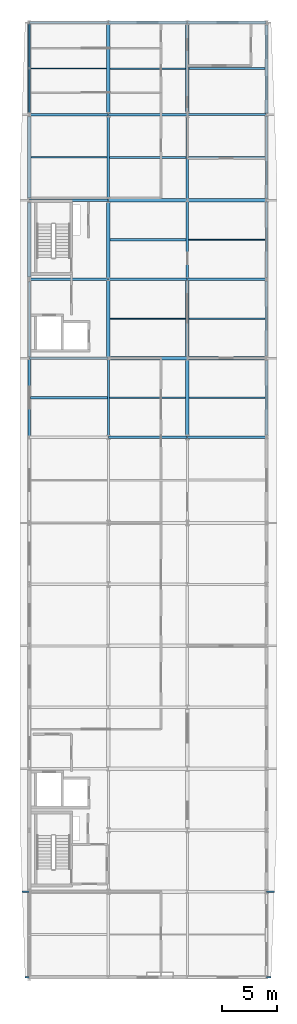
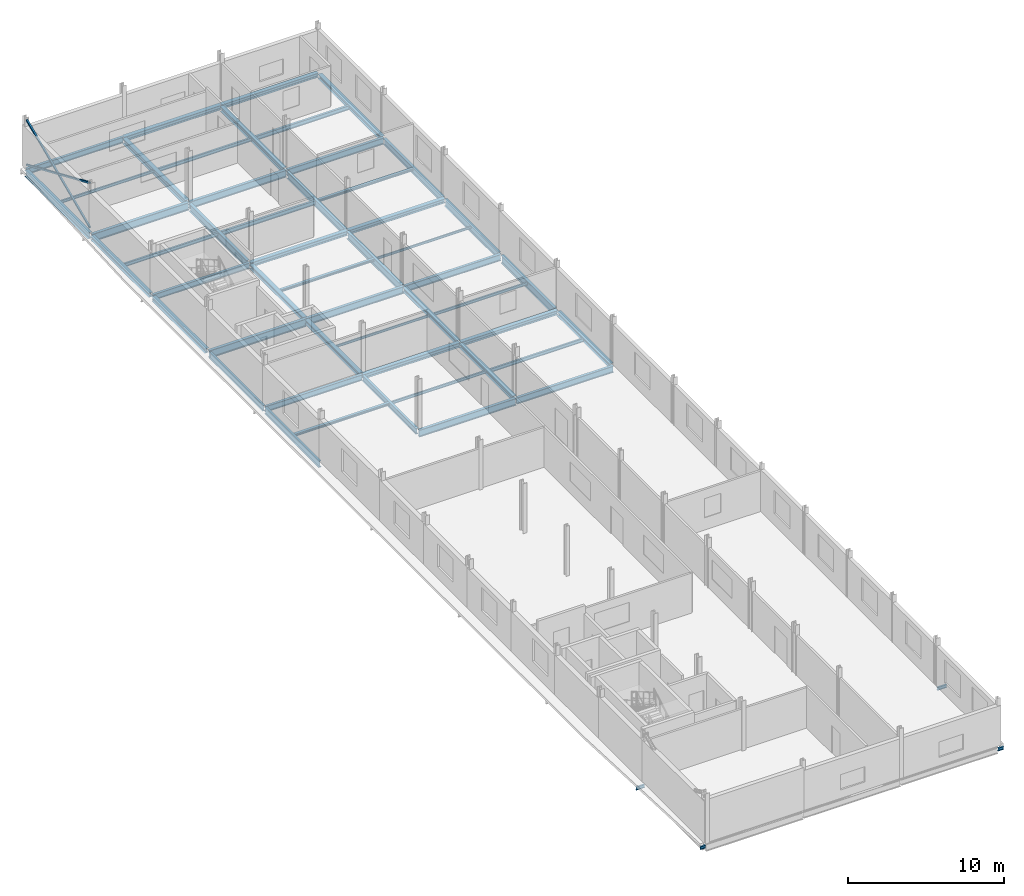
# One storey, part 6 of 16: 54 beams, 3 members.
"""IFC4 building model written with IfcOpenShell, lengths in metres."""

from ifc_helpers import new_model, si_unit, direction, frame, origin, origin_2d, place, context, subcontext, project, spatial, hollow_rectangle, i_section, extrude, material, material_profile, profile_set, type_object, element, save


model = new_model("IFC4")

# Units and contexts
model_context = context("Model", 3, precision=1e-05, world=origin(), true_north=direction((0.0, 1.0)))
body_context = subcontext(model_context, "Body", "Model", "MODEL_VIEW")
ifc_project = project(units=[si_unit("LENGTHUNIT", "METRE"), si_unit("AREAUNIT", "SQUARE_METRE"), si_unit("VOLUMEUNIT", "CUBIC_METRE"), si_unit("PLANEANGLEUNIT", "RADIAN"), si_unit("MASSUNIT", "GRAM", prefix="KILO")], contexts=[model_context])

# Site, building, storey
site_placement = place(None, origin())
site = spatial("IfcSite", under=ifc_project, at=site_placement, CompositionType="ELEMENT")
building_placement = place(site_placement, origin())
building = spatial("IfcBuilding", under=site, at=building_placement, Name="Vinh Khe Railworks Police Headquarters", CompositionType="ELEMENT")
storey_placement = place(building_placement, frame((0.0, 0.0, 28.800048828125)))
storey = spatial("IfcBuildingStorey", under=building, at=storey_placement, Name="L07", CompositionType="ELEMENT", Elevation=28.800048828125)

# Members
ifc_material = material(Name="Steel S355JR", Category="steel")
ifc_material_profile_1 = material_profile(ifc_material, hollow_rectangle(XDim=0.1201171875, YDim=0.1201171875, WallThickness=0.008056640625, at=origin_2d()), Name="SHS 120x120x8")
ifc_profile_set_1 = profile_set([ifc_material_profile_1], Name="Steel S355JR")
member_type = type_object("IfcMemberType", Name="Concentric Brace SHS 120x120x8", PredefinedType="BRACE", material=ifc_profile_set_1)
member_placement = place(storey_placement, frame((0.60009765625, 96.175048828125, 0.199951171875), z_axis=(0.0, 0.917878840109, 0.396860724788), x_axis=(-1.0, 0.0, 0.0)))
element("IfcMember", 1, at=member_placement, inside=storey, type_object=member_type, Name="Continuous Concentric Brace MEM-BR-L07-BR-07-046", PredefinedType="BRACE", context=body_context, shape_type="SweptSolid", body=[
    extrude(hollow_rectangle(XDim=0.1201171875, YDim=0.1201171875, WallThickness=0.008056640625, at=origin_2d()), origin(), (0.0, 0.0, 1.0), 8.8193359375),
])
for number, where, z_axis, x_axis, name in (
    (2, (0.60009765625, 96.175048828125, 3.699951171875), (0.0, 0.917891316515, -0.396831867504), (-1.0, 0.0, 0.0), "Split X-Brace Segment MEM-BR-L07-BR-07-047 (2A)"),
    (3, (0.60009765625, 100.27978515625, 1.925048828125), (0.0, 0.917891316515, -0.396831867504), (-1.0, 0.0, 0.0), "Split X-Brace Segment MEM-BR-L07-BR-07-048 (2B)"),
):
    element("IfcMember", number, at=place(storey_placement, frame(where, z_axis=z_axis, x_axis=x_axis)), inside=storey, type_object=member_type, Name=name, PredefinedType="BRACE", context=body_context, shape_type="SweptSolid", body=[
        extrude(hollow_rectangle(XDim=0.1201171875, YDim=0.1201171875, WallThickness=0.008056640625, at=origin_2d()), origin(), (0.0, 0.0, 1.0), 4.34716796875),
    ])

# Beams
ifc_material_profile_2 = material_profile(ifc_material, i_section(OverallWidth=0.1201171875, OverallDepth=0.239990234375, WebThickness=0.006103515625, FlangeThickness=0.009765625, FilletRadius=0.014892578125, at=origin_2d()), Name="IPE 240")
ifc_profile_set_2 = profile_set([ifc_material_profile_2], Name="Steel S355JR")
beam_type_1 = type_object("IfcBeamType", Name="Monsoon Hood Outrigger IPE 240", PredefinedType="BEAM", material=ifc_profile_set_2)
beam_1_placement = place(storey_placement, frame((0.21142578125, 17.39990234375, -0.360107421875), z_axis=(1.0, 0.0, 0.0), x_axis=(0.0, 1.0, 0.0)))
element("IfcBeam", 4, at=beam_1_placement, inside=storey, type_object=beam_type_1, Name="Monsoon Sun-Hood Outrigger L07-127", PredefinedType="BEAM", context=body_context, shape_type="SweptSolid", body=[
    extrude(i_section(OverallWidth=0.1201171875, OverallDepth=0.239990234375, WebThickness=0.006103515625, FlangeThickness=0.009765625, FilletRadius=0.014892578125, at=origin_2d()), origin(), (0.0, 0.0, 1.0), 0.388671875),
])
beam_2_placement = place(storey_placement, frame((-0.047119140625, 25.199951171875, -0.360107421875), z_axis=(1.0, 0.0, 0.0), x_axis=(0.0, 1.0, 0.0)))
element("IfcBeam", 5, at=beam_2_placement, inside=storey, type_object=beam_type_1, Name="Monsoon Sun-Hood Outrigger L07-128", PredefinedType="BEAM", context=body_context, shape_type="SweptSolid", body=[
    extrude(i_section(OverallWidth=0.1201171875, OverallDepth=0.239990234375, WebThickness=0.006103515625, FlangeThickness=0.009765625, FilletRadius=0.014892578125, at=origin_2d()), origin(), (0.0, 0.0, 1.0), 0.647216796875),
])
beam_3_placement = place(storey_placement, frame((22.199951171875, 17.39990234375, -0.360107421875), z_axis=(1.0, 0.0, 0.0), x_axis=(0.0, 1.0, 0.0)))
element("IfcBeam", 6, at=beam_3_placement, inside=storey, type_object=beam_type_1, Name="Monsoon Sun-Hood Outrigger L07-136", PredefinedType="BEAM", context=body_context, shape_type="SweptSolid", body=[
    extrude(i_section(OverallWidth=0.1201171875, OverallDepth=0.239990234375, WebThickness=0.006103515625, FlangeThickness=0.009765625, FilletRadius=0.014892578125, at=origin_2d()), origin(), (0.0, 0.0, 1.0), 0.423583984375),
])
beam_4_placement = place(storey_placement, frame((22.199951171875, 25.199951171875, -0.360107421875), z_axis=(1.0, 0.0, 0.0), x_axis=(0.0, 1.0, 0.0)))
element("IfcBeam", 7, at=beam_4_placement, inside=storey, type_object=beam_type_1, Name="Monsoon Sun-Hood Outrigger L07-137", PredefinedType="BEAM", context=body_context, shape_type="SweptSolid", body=[
    extrude(i_section(OverallWidth=0.1201171875, OverallDepth=0.239990234375, WebThickness=0.006103515625, FlangeThickness=0.009765625, FilletRadius=0.014892578125, at=origin_2d()), origin(), (0.0, 0.0, 1.0), 0.718505859375),
])
ifc_material_profile_3 = material_profile(ifc_material, i_section(OverallWidth=0.199951171875, OverallDepth=0.18994140625, WebThickness=0.006591796875, FlangeThickness=0.010009765625, FilletRadius=0.01806640625, at=origin_2d()), Name="HEA 200")
ifc_profile_set_3 = profile_set([ifc_material_profile_3], Name="Steel S355JR")
beam_type_2 = type_object("IfcBeamType", Name="Secondary Joist HEA 200", PredefinedType="JOIST", material=ifc_profile_set_3)
beam_5_placement = place(storey_placement, frame((0.699951171875, 70.199951171875, -0.275146484375), z_axis=(1.0, 0.0, 0.0), x_axis=(0.0, 1.0, 0.0)))
element("IfcBeam", 8, at=beam_5_placement, inside=storey, type_object=beam_type_2, Name="Secondary Joist JST-L07-SJ-09-0051", PredefinedType="JOIST", context=body_context, shape_type="SweptSolid", body=[
    extrude(i_section(OverallWidth=0.199951171875, OverallDepth=0.18994140625, WebThickness=0.006591796875, FlangeThickness=0.010009765625, FilletRadius=0.01806640625, at=origin_2d()), origin(), (0.0, 0.0, 1.0), 7.005126953125),
])
beam_6_placement = place(storey_placement, frame((7.949951171875, 84.60009765625, -0.275146484375), z_axis=(1.0, 0.0, 0.0), x_axis=(0.0, 1.0, 0.0)))
element("IfcBeam", 9, at=beam_6_placement, inside=storey, type_object=beam_type_2, Name="Secondary Joist JST-L07-SJ-09-0058", PredefinedType="JOIST", context=body_context, shape_type="SweptSolid", body=[
    extrude(i_section(OverallWidth=0.199951171875, OverallDepth=0.18994140625, WebThickness=0.006591796875, FlangeThickness=0.010009765625, FilletRadius=0.01806640625, at=origin_2d()), origin(), (0.0, 0.0, 1.0), 6.93994140625),
])
beam_7_placement = place(storey_placement, frame((15.10498046875, 92.10009765625, -0.275146484375), z_axis=(1.0, 0.0, 0.0), x_axis=(0.0, 1.0, 0.0)))
element("IfcBeam", 10, at=beam_7_placement, inside=storey, type_object=beam_type_2, Name="Secondary Joist JST-L07-SJ-09-0066", PredefinedType="JOIST", context=body_context, shape_type="SweptSolid", body=[
    extrude(i_section(OverallWidth=0.199951171875, OverallDepth=0.18994140625, WebThickness=0.006591796875, FlangeThickness=0.010009765625, FilletRadius=0.01806640625, at=origin_2d()), origin(), (0.0, 0.0, 1.0), 6.9951171875),
])
ifc_material_profile_4 = material_profile(ifc_material, i_section(OverallWidth=0.091064453125, OverallDepth=0.179931640625, WebThickness=0.00537109375, FlangeThickness=0.008056640625, FilletRadius=0.009033203125, at=origin_2d()), Name="IPE 180")
ifc_profile_set_4 = profile_set([ifc_material_profile_4], Name="Steel S355JR")
beam_type_3 = type_object("IfcBeamType", Name="Secondary Joist IPE 180", PredefinedType="JOIST", material=ifc_profile_set_4)
beam_8_placement = place(storey_placement, frame((7.949951171875, 77.39990234375, -0.27001953125), z_axis=(1.0, 0.0, 0.0), x_axis=(0.0, 1.0, 0.0)))
element("IfcBeam", 11, at=beam_8_placement, inside=storey, type_object=beam_type_3, Name="Secondary Joist JST-L07-SJ-07-0057", PredefinedType="JOIST", context=body_context, shape_type="SweptSolid", body=[
    extrude(i_section(OverallWidth=0.091064453125, OverallDepth=0.179931640625, WebThickness=0.00537109375, FlangeThickness=0.008056640625, FilletRadius=0.009033203125, at=origin_2d()), origin(), (0.0, 0.0, 1.0), 6.900146484375),
])
beam_9_placement = place(storey_placement, frame((15.110107421875, 84.60009765625, -0.27001953125), z_axis=(1.0, 0.0, 0.0), x_axis=(0.0, 1.0, 0.0)))
element("IfcBeam", 12, at=beam_9_placement, inside=storey, type_object=beam_type_3, Name="Secondary Joist JST-L07-SJ-07-0065", PredefinedType="JOIST", context=body_context, shape_type="SweptSolid", body=[
    extrude(i_section(OverallWidth=0.091064453125, OverallDepth=0.179931640625, WebThickness=0.00537109375, FlangeThickness=0.008056640625, FilletRadius=0.009033203125, at=origin_2d()), origin(), (0.0, 0.0, 1.0), 6.98486328125),
])
ifc_material_profile_5 = material_profile(ifc_material, i_section(OverallWidth=0.110107421875, OverallDepth=0.219970703125, WebThickness=0.005859375, FlangeThickness=0.00927734375, FilletRadius=0.011962890625, at=origin_2d()), Name="IPE 220")
ifc_profile_set_5 = profile_set([ifc_material_profile_5], Name="Steel S355JR")
beam_type_4 = type_object("IfcBeamType", Name="Secondary Joist IPE 220", PredefinedType="JOIST", material=ifc_profile_set_5)
beam_10_placement = place(storey_placement, frame((0.75, 100.199951171875, -0.2900390625), z_axis=(1.0, 0.0, 0.0), x_axis=(0.0, 1.0, 0.0)))
element("IfcBeam", 13, at=beam_10_placement, inside=storey, type_object=beam_type_4, Name="Secondary Joist JST-L07-SJ-05-0053", PredefinedType="JOIST", context=body_context, shape_type="SweptSolid", body=[
    extrude(i_section(OverallWidth=0.110107421875, OverallDepth=0.219970703125, WebThickness=0.005859375, FlangeThickness=0.00927734375, FilletRadius=0.011962890625, at=origin_2d()), origin(), (0.0, 0.0, 1.0), 6.89990234375),
])
beam_11_placement = place(storey_placement, frame((7.89501953125, 70.199951171875, -0.2900390625), z_axis=(1.0, 0.0, 0.0), x_axis=(0.0, 1.0, 0.0)))
element("IfcBeam", 14, at=beam_11_placement, inside=storey, type_object=beam_type_4, Name="Secondary Joist JST-L07-SJ-05-0056", PredefinedType="JOIST", context=body_context, shape_type="SweptSolid", body=[
    extrude(i_section(OverallWidth=0.110107421875, OverallDepth=0.219970703125, WebThickness=0.005859375, FlangeThickness=0.00927734375, FilletRadius=0.011962890625, at=origin_2d()), origin(), (0.0, 0.0, 1.0), 6.955078125),
])
beam_12_placement = place(storey_placement, frame((15.14990234375, 77.39990234375, -0.2900390625), z_axis=(1.0, 0.0, 0.0), x_axis=(0.0, 1.0, 0.0)))
element("IfcBeam", 15, at=beam_12_placement, inside=storey, type_object=beam_type_4, Name="Secondary Joist JST-L07-SJ-05-0064", PredefinedType="JOIST", context=body_context, shape_type="SweptSolid", body=[
    extrude(i_section(OverallWidth=0.110107421875, OverallDepth=0.219970703125, WebThickness=0.005859375, FlangeThickness=0.00927734375, FilletRadius=0.011962890625, at=origin_2d()), origin(), (0.0, 0.0, 1.0), 6.940185546875),
])
ifc_material_profile_6 = material_profile(ifc_material, i_section(OverallWidth=0.135009765625, OverallDepth=0.27001953125, WebThickness=0.006591796875, FlangeThickness=0.01025390625, FilletRadius=0.014892578125, at=origin_2d()), Name="IPE 270")
ifc_profile_set_6 = profile_set([ifc_material_profile_6], Name="Steel S355JR")
beam_type_5 = type_object("IfcBeamType", Name="Secondary Joist IPE 270", PredefinedType="JOIST", material=ifc_profile_set_6)
beam_13_placement = place(storey_placement, frame((0.75, 92.10009765625, -0.31494140625), z_axis=(1.0, 0.0, 0.0), x_axis=(0.0, 1.0, 0.0)))
element("IfcBeam", 16, at=beam_13_placement, inside=storey, type_object=beam_type_5, Name="Secondary Joist JST-L07-SJ-03-0052", PredefinedType="JOIST", context=body_context, shape_type="SweptSolid", body=[
    extrude(i_section(OverallWidth=0.135009765625, OverallDepth=0.27001953125, WebThickness=0.006591796875, FlangeThickness=0.01025390625, FilletRadius=0.014892578125, at=origin_2d()), origin(), (0.0, 0.0, 1.0), 6.93994140625),
])
for number, where, z_axis, x_axis, name in (
    (17, (7.949951171875, 100.199951171875, -0.31494140625), (1.0, 0.0, 0.0), (0.0, 1.0, 0.0), "Secondary Joist JST-L07-SJ-03-0060"),
    (18, (15.14990234375, 70.199951171875, -0.31494140625), (1.0, 0.0, 0.0), (0.0, 1.0, 0.0), "Secondary Joist JST-L07-SJ-03-0063"),
):
    element("IfcBeam", number, at=place(storey_placement, frame(where, z_axis=z_axis, x_axis=x_axis)), inside=storey, type_object=beam_type_5, Name=name, PredefinedType="JOIST", context=body_context, shape_type="SweptSolid", body=[
        extrude(i_section(OverallWidth=0.135009765625, OverallDepth=0.27001953125, WebThickness=0.006591796875, FlangeThickness=0.01025390625, FilletRadius=0.014892578125, at=origin_2d()), origin(), (0.0, 0.0, 1.0), 6.900146484375),
    ])
ifc_material_profile_7 = material_profile(ifc_material, i_section(OverallWidth=0.159912109375, OverallDepth=0.330078125, WebThickness=0.007568359375, FlangeThickness=0.011474609375, FilletRadius=0.01806640625, at=origin_2d()), Name="IPE 330")
ifc_profile_set_7 = profile_set([ifc_material_profile_7], Name="Steel S355JR")
beam_type_6 = type_object("IfcBeamType", Name="Secondary Joist IPE 330", PredefinedType="JOIST", material=ifc_profile_set_7)
beam_14_placement = place(storey_placement, frame((7.909912109375, 92.10009765625, -0.344970703125), z_axis=(1.0, 0.0, 0.0), x_axis=(0.0, 1.0, 0.0)))
element("IfcBeam", 19, at=beam_14_placement, inside=storey, type_object=beam_type_6, Name="Secondary Joist JST-L07-SJ-01-0059", PredefinedType="JOIST", context=body_context, shape_type="SweptSolid", body=[
    extrude(i_section(OverallWidth=0.159912109375, OverallDepth=0.330078125, WebThickness=0.007568359375, FlangeThickness=0.011474609375, FilletRadius=0.01806640625, at=origin_2d()), origin(), (0.0, 0.0, 1.0), 6.985107421875),
])
beam_15_placement = place(storey_placement, frame((15.14990234375, 100.199951171875, -0.344970703125), z_axis=(1.0, 0.0, 0.0), x_axis=(0.0, 1.0, 0.0)))
element("IfcBeam", 20, at=beam_15_placement, inside=storey, type_object=beam_type_6, Name="Secondary Joist JST-L07-SJ-01-0067", PredefinedType="JOIST", context=body_context, shape_type="SweptSolid", body=[
    extrude(i_section(OverallWidth=0.159912109375, OverallDepth=0.330078125, WebThickness=0.007568359375, FlangeThickness=0.011474609375, FilletRadius=0.01806640625, at=origin_2d()), origin(), (0.0, 0.0, 1.0), 6.900146484375),
])
ifc_material_profile_8 = material_profile(ifc_material, i_section(OverallWidth=0.300048828125, OverallDepth=0.330078125, WebThickness=0.009521484375, FlangeThickness=0.0166015625, FilletRadius=0.027099609375, at=origin_2d()), Name="HEA 340")
ifc_profile_set_8 = profile_set([ifc_material_profile_8], Name="Steel S355JR")
beam_type_7 = type_object("IfcBeamType", Name="Steel Girder HEA 340", PredefinedType="BEAM", material=ifc_profile_set_8)
for number, where, z_axis, x_axis, name in (
    (21, (15.02001953125, 73.800048828125, -0.344970703125), (1.0, 0.0, 0.0), (0.0, 1.0, 0.0), "Girder BM-L07-EW-SB-16-1868"),
    (22, (15.02001953125, 88.199951171875, -0.344970703125), (1.0, 0.0, 0.0), (0.0, 1.0, 0.0), "Girder BM-L07-EW-SB-16-1874"),
    (23, (15.02001953125, 104.39990234375, -0.344970703125), (1.0, 0.0, 0.0), (0.0, 1.0, 0.0), "Girder BM-L07-EW-SB-16-1880"),
):
    element("IfcBeam", number, at=place(storey_placement, frame(where, z_axis=z_axis, x_axis=x_axis)), inside=storey, type_object=beam_type_7, Name=name, PredefinedType="BEAM", context=body_context, shape_type="SweptSolid", body=[
        extrude(i_section(OverallWidth=0.300048828125, OverallDepth=0.330078125, WebThickness=0.009521484375, FlangeThickness=0.0166015625, FilletRadius=0.027099609375, at=origin_2d()), origin(), (0.0, 0.0, 1.0), 7.159912109375),
    ])
beam_16_placement = place(storey_placement, frame((0.60009765625, 88.39990234375, -0.344970703125), z_axis=(0.0, 1.0, 0.0), x_axis=(-1.0, 0.0, 0.0)))
element("IfcBeam", 24, at=beam_16_placement, inside=storey, type_object=beam_type_7, Name="Girder BM-L07-NS-SB-16-1892", PredefinedType="BEAM", context=body_context, shape_type="SweptSolid", body=[
    extrude(i_section(OverallWidth=0.300048828125, OverallDepth=0.330078125, WebThickness=0.009521484375, FlangeThickness=0.0166015625, FilletRadius=0.027099609375, at=origin_2d()), origin(), (0.0, 0.0, 1.0), 7.425048828125),
])
beam_17_placement = place(storey_placement, frame((7.800048828125, 81.110107421875, -0.344970703125), z_axis=(0.0, 1.0, 0.0), x_axis=(-1.0, 0.0, 0.0)))
element("IfcBeam", 25, at=beam_17_placement, inside=storey, type_object=beam_type_7, Name="Girder BM-L07-NS-SB-16-1904", PredefinedType="BEAM", context=body_context, shape_type="SweptSolid", body=[
    extrude(i_section(OverallWidth=0.300048828125, OverallDepth=0.330078125, WebThickness=0.009521484375, FlangeThickness=0.0166015625, FilletRadius=0.027099609375, at=origin_2d()), origin(), (0.0, 0.0, 1.0), 6.864990234375),
])
beam_18_placement = place(storey_placement, frame((15.0, 73.97509765625, -0.344970703125), z_axis=(0.0, 1.0, 0.0), x_axis=(-1.0, 0.0, 0.0)))
element("IfcBeam", 26, at=beam_18_placement, inside=storey, type_object=beam_type_7, Name="Girder BM-L07-NS-SB-16-1916", PredefinedType="BEAM", context=body_context, shape_type="SweptSolid", body=[
    extrude(i_section(OverallWidth=0.300048828125, OverallDepth=0.330078125, WebThickness=0.009521484375, FlangeThickness=0.0166015625, FilletRadius=0.027099609375, at=origin_2d()), origin(), (0.0, 0.0, 1.0), 6.89501953125),
])
beam_19_placement = place(storey_placement, frame((22.199951171875, 66.824951171875, -0.344970703125), z_axis=(0.0, 1.0, 0.0), x_axis=(-1.0, 0.0, 0.0)))
element("IfcBeam", 27, at=beam_19_placement, inside=storey, type_object=beam_type_7, Name="Girder BM-L07-NS-SB-16-1928", PredefinedType="BEAM", context=body_context, shape_type="SweptSolid", body=[
    extrude(i_section(OverallWidth=0.300048828125, OverallDepth=0.330078125, WebThickness=0.009521484375, FlangeThickness=0.0166015625, FilletRadius=0.027099609375, at=origin_2d()), origin(), (0.0, 0.0, 1.0), 6.775146484375),
])
ifc_material_profile_9 = material_profile(ifc_material, i_section(OverallWidth=0.300048828125, OverallDepth=0.35009765625, WebThickness=0.010009765625, FlangeThickness=0.017578125, FilletRadius=0.027099609375, at=origin_2d()), Name="HEA 360")
ifc_profile_set_9 = profile_set([ifc_material_profile_9], Name="Steel S355JR")
beam_type_8 = type_object("IfcBeamType", Name="Steel Girder HEA 360", PredefinedType="BEAM", material=ifc_profile_set_9)
for number, where, z_axis, x_axis, name in (
    (28, (7.820068359375, 73.800048828125, -0.35498046875), (1.0, 0.0, 0.0), (0.0, 1.0, 0.0), "Girder BM-L07-EW-SB-15-1867"),
    (29, (7.820068359375, 88.199951171875, -0.35498046875), (1.0, 0.0, 0.0), (0.0, 1.0, 0.0), "Girder BM-L07-EW-SB-15-1873"),
    (30, (7.820068359375, 104.39990234375, -0.35498046875), (1.0, 0.0, 0.0), (0.0, 1.0, 0.0), "Girder BM-L07-EW-SB-15-1879"),
):
    element("IfcBeam", number, at=place(storey_placement, frame(where, z_axis=z_axis, x_axis=x_axis)), inside=storey, type_object=beam_type_8, Name=name, PredefinedType="BEAM", context=body_context, shape_type="SweptSolid", body=[
        extrude(i_section(OverallWidth=0.300048828125, OverallDepth=0.35009765625, WebThickness=0.010009765625, FlangeThickness=0.017578125, FilletRadius=0.027099609375, at=origin_2d()), origin(), (0.0, 0.0, 1.0), 7.159912109375),
    ])
beam_20_placement = place(storey_placement, frame((0.60009765625, 81.22509765625, -0.35498046875), z_axis=(0.0, 1.0, 0.0), x_axis=(-1.0, 0.0, 0.0)))
element("IfcBeam", 31, at=beam_20_placement, inside=storey, type_object=beam_type_8, Name="Girder BM-L07-NS-SB-15-1891", PredefinedType="BEAM", context=body_context, shape_type="SweptSolid", body=[
    extrude(i_section(OverallWidth=0.300048828125, OverallDepth=0.35009765625, WebThickness=0.010009765625, FlangeThickness=0.017578125, FilletRadius=0.027099609375, at=origin_2d()), origin(), (0.0, 0.0, 1.0), 6.77490234375),
])
beam_21_placement = place(storey_placement, frame((7.800048828125, 73.929931640625, -0.35498046875), z_axis=(0.0, 1.0, 0.0), x_axis=(-1.0, 0.0, 0.0)))
element("IfcBeam", 32, at=beam_21_placement, inside=storey, type_object=beam_type_8, Name="Girder BM-L07-NS-SB-15-1903", PredefinedType="BEAM", context=body_context, shape_type="SweptSolid", body=[
    extrude(i_section(OverallWidth=0.300048828125, OverallDepth=0.35009765625, WebThickness=0.010009765625, FlangeThickness=0.017578125, FilletRadius=0.027099609375, at=origin_2d()), origin(), (0.0, 0.0, 1.0), 6.9599609375),
])
beam_22_placement = place(storey_placement, frame((15.0, 66.800048828125, -0.35498046875), z_axis=(0.0, 1.0, 0.0), x_axis=(-1.0, 0.0, 0.0)))
element("IfcBeam", 33, at=beam_22_placement, inside=storey, type_object=beam_type_8, Name="Girder BM-L07-NS-SB-15-1915", PredefinedType="BEAM", context=body_context, shape_type="SweptSolid", body=[
    extrude(i_section(OverallWidth=0.300048828125, OverallDepth=0.35009765625, WebThickness=0.010009765625, FlangeThickness=0.017578125, FilletRadius=0.027099609375, at=origin_2d()), origin(), (0.0, 0.0, 1.0), 6.824951171875),
])
beam_23_placement = place(storey_placement, frame((22.199951171875, 96.110107421875, -0.35498046875), z_axis=(0.0, 1.0, 0.0), x_axis=(-1.0, 0.0, 0.0)))
element("IfcBeam", 34, at=beam_23_placement, inside=storey, type_object=beam_type_8, Name="Girder BM-L07-NS-SB-15-1932", PredefinedType="BEAM", context=body_context, shape_type="SweptSolid", body=[
    extrude(i_section(OverallWidth=0.300048828125, OverallDepth=0.35009765625, WebThickness=0.010009765625, FlangeThickness=0.017578125, FilletRadius=0.027099609375, at=origin_2d()), origin(), (0.0, 0.0, 1.0), 8.06494140625),
])
ifc_material_profile_10 = material_profile(ifc_material, i_section(OverallWidth=0.300048828125, OverallDepth=0.389892578125, WebThickness=0.010986328125, FlangeThickness=0.01904296875, FilletRadius=0.027099609375, at=origin_2d()), Name="HEA 400")
ifc_profile_set_10 = profile_set([ifc_material_profile_10], Name="Steel S355JR")
beam_type_9 = type_object("IfcBeamType", Name="Steel Girder HEA 400", PredefinedType="BEAM", material=ifc_profile_set_10)
beam_24_placement = place(storey_placement, frame((15.0, 96.22509765625, -0.375), z_axis=(0.0, 1.0, 0.0), x_axis=(-1.0, 0.0, 0.0)))
element("IfcBeam", 35, at=beam_24_placement, inside=storey, type_object=beam_type_9, Name="Girder BM-L07-NS-SB-14-1919", PredefinedType="BEAM", context=body_context, shape_type="SweptSolid", body=[
    extrude(i_section(OverallWidth=0.300048828125, OverallDepth=0.389892578125, WebThickness=0.010986328125, FlangeThickness=0.01904296875, FilletRadius=0.027099609375, at=origin_2d()), origin(), (0.0, 0.0, 1.0), 7.974853515625),
])
ifc_material_profile_11 = material_profile(ifc_material, i_section(OverallWidth=0.300048828125, OverallDepth=0.43994140625, WebThickness=0.011474609375, FlangeThickness=0.02099609375, FilletRadius=0.027099609375, at=origin_2d()), Name="HEA 450")
ifc_profile_set_11 = profile_set([ifc_material_profile_11], Name="Steel S355JR")
beam_type_10 = type_object("IfcBeamType", Name="Steel Girder HEA 450", PredefinedType="BEAM", material=ifc_profile_set_11)
beam_25_placement = place(storey_placement, frame((7.800048828125, 96.199951171875, -0.400146484375), z_axis=(0.0, 1.0, 0.0), x_axis=(-1.0, 0.0, 0.0)))
element("IfcBeam", 36, at=beam_25_placement, inside=storey, type_object=beam_type_10, Name="Girder BM-L07-NS-SB-13-1906", PredefinedType="BEAM", context=body_context, shape_type="SweptSolid", body=[
    extrude(i_section(OverallWidth=0.300048828125, OverallDepth=0.43994140625, WebThickness=0.011474609375, FlangeThickness=0.02099609375, FilletRadius=0.027099609375, at=origin_2d()), origin(), (0.0, 0.0, 1.0), 8.025146484375),
])
ifc_material_profile_12 = material_profile(ifc_material, i_section(OverallWidth=0.300048828125, OverallDepth=0.489990234375, WebThickness=0.011962890625, FlangeThickness=0.02294921875, FilletRadius=0.027099609375, at=origin_2d()), Name="HEA 500")
ifc_profile_set_12 = profile_set([ifc_material_profile_12], Name="Steel S355JR")
beam_type_11 = type_object("IfcBeamType", Name="Steel Girder HEA 500", PredefinedType="BEAM", material=ifc_profile_set_12)
beam_26_placement = place(storey_placement, frame((0.60009765625, 96.175048828125, -0.425048828125), z_axis=(0.0, 1.0, 0.0), x_axis=(-1.0, 0.0, 0.0)))
element("IfcBeam", 37, at=beam_26_placement, inside=storey, type_object=beam_type_11, Name="Girder BM-L07-NS-SB-12-1893", PredefinedType="BEAM", context=body_context, shape_type="SweptSolid", body=[
    extrude(i_section(OverallWidth=0.300048828125, OverallDepth=0.489990234375, WebThickness=0.011962890625, FlangeThickness=0.02294921875, FilletRadius=0.027099609375, at=origin_2d()), origin(), (0.0, 0.0, 1.0), 8.094970703125),
])
ifc_material_profile_13 = material_profile(ifc_material, i_section(OverallWidth=0.18994140625, OverallDepth=0.449951171875, WebThickness=0.009521484375, FlangeThickness=0.0146484375, FilletRadius=0.02099609375, at=origin_2d()), Name="IPE 450")
ifc_profile_set_13 = profile_set([ifc_material_profile_13], Name="Steel S355JR")
beam_type_12 = type_object("IfcBeamType", Name="Steel Girder IPE 450", PredefinedType="BEAM", material=ifc_profile_set_13)
for number, where, z_axis, x_axis, name in (
    (38, (0.6201171875, 73.800048828125, -0.405029296875), (1.0, 0.0, 0.0), (0.0, 1.0, 0.0), "Girder BM-L07-EW-SB-20-1866"),
    (39, (0.6201171875, 88.199951171875, -0.405029296875), (1.0, 0.0, 0.0), (0.0, 1.0, 0.0), "Girder BM-L07-EW-SB-20-1872"),
    (40, (0.6201171875, 104.39990234375, -0.405029296875), (1.0, 0.0, 0.0), (0.0, 1.0, 0.0), "Girder BM-L07-EW-SB-20-1878"),
):
    element("IfcBeam", number, at=place(storey_placement, frame(where, z_axis=z_axis, x_axis=x_axis)), inside=storey, type_object=beam_type_12, Name=name, PredefinedType="BEAM", context=body_context, shape_type="SweptSolid", body=[
        extrude(i_section(OverallWidth=0.18994140625, OverallDepth=0.449951171875, WebThickness=0.009521484375, FlangeThickness=0.0146484375, FilletRadius=0.02099609375, at=origin_2d()), origin(), (0.0, 0.0, 1.0), 7.159912109375),
    ])
beam_27_placement = place(storey_placement, frame((0.60009765625, 73.909912109375, -0.405029296875), z_axis=(0.0, 1.0, 0.0), x_axis=(-1.0, 0.0, 0.0)))
element("IfcBeam", 41, at=beam_27_placement, inside=storey, type_object=beam_type_12, Name="Girder BM-L07-NS-SB-20-1890", PredefinedType="BEAM", context=body_context, shape_type="SweptSolid", body=[
    extrude(i_section(OverallWidth=0.18994140625, OverallDepth=0.449951171875, WebThickness=0.009521484375, FlangeThickness=0.0146484375, FilletRadius=0.02099609375, at=origin_2d()), origin(), (0.0, 0.0, 1.0), 6.864990234375),
])
beam_28_placement = place(storey_placement, frame((7.800048828125, 66.77490234375, -0.405029296875), z_axis=(0.0, 1.0, 0.0), x_axis=(-1.0, 0.0, 0.0)))
element("IfcBeam", 42, at=beam_28_placement, inside=storey, type_object=beam_type_12, Name="Girder BM-L07-NS-SB-20-1902", PredefinedType="BEAM", context=body_context, shape_type="SweptSolid", body=[
    extrude(i_section(OverallWidth=0.18994140625, OverallDepth=0.449951171875, WebThickness=0.009521484375, FlangeThickness=0.0146484375, FilletRadius=0.02099609375, at=origin_2d()), origin(), (0.0, 0.0, 1.0), 6.89501953125),
])
ifc_material_profile_14 = material_profile(ifc_material, i_section(OverallWidth=0.199951171875, OverallDepth=0.5, WebThickness=0.01025390625, FlangeThickness=0.01611328125, FilletRadius=0.02099609375, at=origin_2d()), Name="IPE 500")
ifc_profile_set_14 = profile_set([ifc_material_profile_14], Name="Steel S355JR")
beam_type_13 = type_object("IfcBeamType", Name="Steel Girder IPE 500", PredefinedType="BEAM", material=ifc_profile_set_14)
for number, where, z_axis, x_axis, name in (
    (43, (15.02001953125, 66.60009765625, -0.429931640625), (1.0, 0.0, 0.0), (0.0, 1.0, 0.0), "Girder BM-L07-EW-SB-19-1865"),
    (44, (15.02001953125, 81.0, -0.429931640625), (1.0, 0.0, 0.0), (0.0, 1.0, 0.0), "Girder BM-L07-EW-SB-19-1871"),
    (45, (15.02001953125, 96.0, -0.429931640625), (1.0, 0.0, 0.0), (0.0, 1.0, 0.0), "Girder BM-L07-EW-SB-19-1877"),
):
    element("IfcBeam", number, at=place(storey_placement, frame(where, z_axis=z_axis, x_axis=x_axis)), inside=storey, type_object=beam_type_13, Name=name, PredefinedType="BEAM", context=body_context, shape_type="SweptSolid", body=[
        extrude(i_section(OverallWidth=0.199951171875, OverallDepth=0.5, WebThickness=0.01025390625, FlangeThickness=0.01611328125, FilletRadius=0.02099609375, at=origin_2d()), origin(), (0.0, 0.0, 1.0), 7.159912109375),
    ])
beam_29_placement = place(storey_placement, frame((0.60009765625, 66.72998046875, -0.429931640625), z_axis=(0.0, 1.0, 0.0), x_axis=(-1.0, 0.0, 0.0)))
element("IfcBeam", 46, at=beam_29_placement, inside=storey, type_object=beam_type_13, Name="Girder BM-L07-NS-SB-19-1889", PredefinedType="BEAM", context=body_context, shape_type="SweptSolid", body=[
    extrude(i_section(OverallWidth=0.199951171875, OverallDepth=0.5, WebThickness=0.01025390625, FlangeThickness=0.01611328125, FilletRadius=0.02099609375, at=origin_2d()), origin(), (0.0, 0.0, 1.0), 6.9599609375),
])
beam_30_placement = place(storey_placement, frame((22.199951171875, 88.330078125, -0.429931640625), z_axis=(0.0, 1.0, 0.0), x_axis=(-1.0, 0.0, 0.0)))
element("IfcBeam", 47, at=beam_30_placement, inside=storey, type_object=beam_type_13, Name="Girder BM-L07-NS-SB-19-1931", PredefinedType="BEAM", context=body_context, shape_type="SweptSolid", body=[
    extrude(i_section(OverallWidth=0.199951171875, OverallDepth=0.5, WebThickness=0.01025390625, FlangeThickness=0.01611328125, FilletRadius=0.02099609375, at=origin_2d()), origin(), (0.0, 0.0, 1.0), 7.559814453125),
])
ifc_material_profile_15 = material_profile(ifc_material, i_section(OverallWidth=0.2099609375, OverallDepth=0.550048828125, WebThickness=0.010986328125, FlangeThickness=0.01708984375, FilletRadius=0.02392578125, at=origin_2d()), Name="IPE 550")
ifc_profile_set_15 = profile_set([ifc_material_profile_15], Name="Steel S355JR")
beam_type_14 = type_object("IfcBeamType", Name="Steel Girder IPE 550", PredefinedType="BEAM", material=ifc_profile_set_15)
for number, where, z_axis, x_axis, name in (
    (48, (7.820068359375, 66.60009765625, -0.455078125), (1.0, 0.0, 0.0), (0.0, 1.0, 0.0), "Girder BM-L07-EW-SB-18-1864"),
    (49, (7.820068359375, 81.0, -0.455078125), (1.0, 0.0, 0.0), (0.0, 1.0, 0.0), "Girder BM-L07-EW-SB-18-1870"),
    (50, (7.820068359375, 96.0, -0.455078125), (1.0, 0.0, 0.0), (0.0, 1.0, 0.0), "Girder BM-L07-EW-SB-18-1876"),
):
    element("IfcBeam", number, at=place(storey_placement, frame(where, z_axis=z_axis, x_axis=x_axis)), inside=storey, type_object=beam_type_14, Name=name, PredefinedType="BEAM", context=body_context, shape_type="SweptSolid", body=[
        extrude(i_section(OverallWidth=0.2099609375, OverallDepth=0.550048828125, WebThickness=0.010986328125, FlangeThickness=0.01708984375, FilletRadius=0.02392578125, at=origin_2d()), origin(), (0.0, 0.0, 1.0), 7.159912109375),
    ])
beam_31_placement = place(storey_placement, frame((15.0, 88.31005859375, -0.455078125), z_axis=(0.0, 1.0, 0.0), x_axis=(-1.0, 0.0, 0.0)))
element("IfcBeam", 51, at=beam_31_placement, inside=storey, type_object=beam_type_14, Name="Girder BM-L07-NS-SB-18-1918", PredefinedType="BEAM", context=body_context, shape_type="SweptSolid", body=[
    extrude(i_section(OverallWidth=0.2099609375, OverallDepth=0.550048828125, WebThickness=0.010986328125, FlangeThickness=0.01708984375, FilletRadius=0.02392578125, at=origin_2d()), origin(), (0.0, 0.0, 1.0), 7.46484375),
])
beam_32_placement = place(storey_placement, frame((22.199951171875, 81.175048828125, -0.455078125), z_axis=(0.0, 1.0, 0.0), x_axis=(-1.0, 0.0, 0.0)))
element("IfcBeam", 52, at=beam_32_placement, inside=storey, type_object=beam_type_14, Name="Girder BM-L07-NS-SB-18-1930", PredefinedType="BEAM", context=body_context, shape_type="SweptSolid", body=[
    extrude(i_section(OverallWidth=0.2099609375, OverallDepth=0.550048828125, WebThickness=0.010986328125, FlangeThickness=0.01708984375, FilletRadius=0.02392578125, at=origin_2d()), origin(), (0.0, 0.0, 1.0), 6.89501953125),
])
ifc_material_profile_16 = material_profile(ifc_material, i_section(OverallWidth=0.219970703125, OverallDepth=0.60009765625, WebThickness=0.011962890625, FlangeThickness=0.01904296875, FilletRadius=0.02392578125, at=origin_2d()), Name="IPE 600")
ifc_profile_set_16 = profile_set([ifc_material_profile_16], Name="Steel S355JR")
beam_type_15 = type_object("IfcBeamType", Name="Steel Girder IPE 600", PredefinedType="BEAM", material=ifc_profile_set_16)
for number, where, z_axis, x_axis, name in (
    (53, (0.6201171875, 81.0, -0.47998046875), (1.0, 0.0, 0.0), (0.0, 1.0, 0.0), "Girder BM-L07-EW-SB-17-1869"),
    (54, (0.6201171875, 96.0, -0.47998046875), (1.0, 0.0, 0.0), (0.0, 1.0, 0.0), "Girder BM-L07-EW-SB-17-1875"),
):
    element("IfcBeam", number, at=place(storey_placement, frame(where, z_axis=z_axis, x_axis=x_axis)), inside=storey, type_object=beam_type_15, Name=name, PredefinedType="BEAM", context=body_context, shape_type="SweptSolid", body=[
        extrude(i_section(OverallWidth=0.219970703125, OverallDepth=0.60009765625, WebThickness=0.011962890625, FlangeThickness=0.01904296875, FilletRadius=0.02392578125, at=origin_2d()), origin(), (0.0, 0.0, 1.0), 7.159912109375),
    ])
beam_33_placement = place(storey_placement, frame((7.800048828125, 88.425048828125, -0.47998046875), z_axis=(0.0, 1.0, 0.0), x_axis=(-1.0, 0.0, 0.0)))
element("IfcBeam", 55, at=beam_33_placement, inside=storey, type_object=beam_type_15, Name="Girder BM-L07-NS-SB-17-1905", PredefinedType="BEAM", context=body_context, shape_type="SweptSolid", body=[
    extrude(i_section(OverallWidth=0.219970703125, OverallDepth=0.60009765625, WebThickness=0.011962890625, FlangeThickness=0.01904296875, FilletRadius=0.02392578125, at=origin_2d()), origin(), (0.0, 0.0, 1.0), 7.375),
])
beam_34_placement = place(storey_placement, frame((15.0, 81.1298828125, -0.47998046875), z_axis=(0.0, 1.0, 0.0), x_axis=(-1.0, 0.0, 0.0)))
element("IfcBeam", 56, at=beam_34_placement, inside=storey, type_object=beam_type_15, Name="Girder BM-L07-NS-SB-17-1917", PredefinedType="BEAM", context=body_context, shape_type="SweptSolid", body=[
    extrude(i_section(OverallWidth=0.219970703125, OverallDepth=0.60009765625, WebThickness=0.011962890625, FlangeThickness=0.01904296875, FilletRadius=0.02392578125, at=origin_2d()), origin(), (0.0, 0.0, 1.0), 6.960205078125),
])
beam_35_placement = place(storey_placement, frame((22.199951171875, 74.0, -0.47998046875), z_axis=(0.0, 1.0, 0.0), x_axis=(-1.0, 0.0, 0.0)))
element("IfcBeam", 57, at=beam_35_placement, inside=storey, type_object=beam_type_15, Name="Girder BM-L07-NS-SB-17-1929", PredefinedType="BEAM", context=body_context, shape_type="SweptSolid", body=[
    extrude(i_section(OverallWidth=0.219970703125, OverallDepth=0.60009765625, WebThickness=0.011962890625, FlangeThickness=0.01904296875, FilletRadius=0.02392578125, at=origin_2d()), origin(), (0.0, 0.0, 1.0), 6.824951171875),
])

save(model, "model.ifc")
